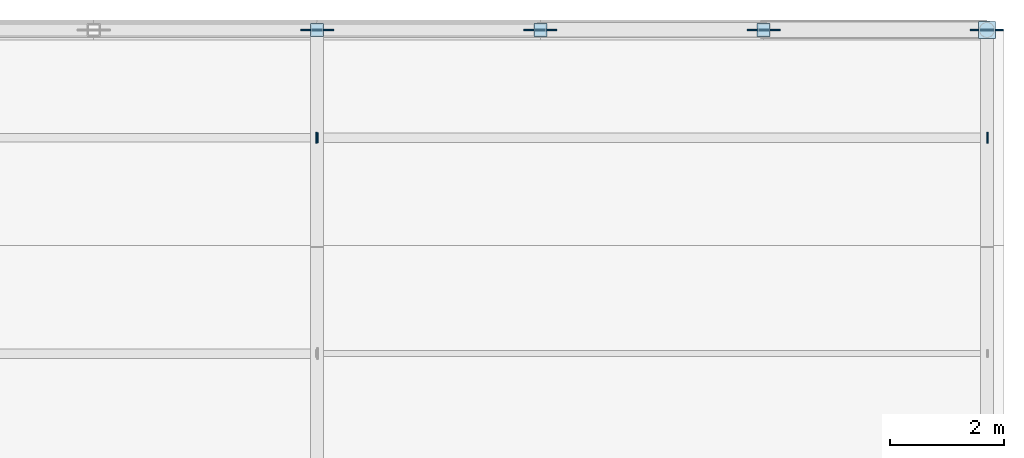
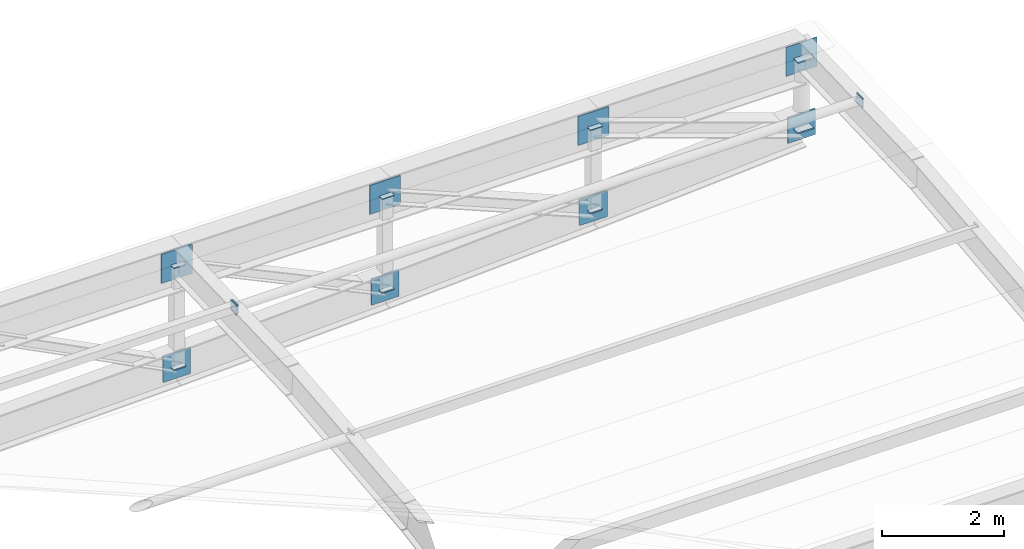
# One storey, part 63 of 65: 19 plates.
"""IFC4 building model written with IfcOpenShell, lengths in metres."""

from ifc_helpers import new_model, si_unit, direction, frame, origin, origin_2d, place, context, subcontext, project, spatial, rectangle, extrude, material, layer, layer_set, type_object, element, save


model = new_model("IFC4")

# Units and contexts
model_context = context("Model", 3, precision=1e-05, world=origin(), true_north=direction((0.0, 1.0)))
body_context = subcontext(model_context, "Body", "Model", "MODEL_VIEW")
ifc_project = project(units=[si_unit("LENGTHUNIT", "METRE"), si_unit("AREAUNIT", "SQUARE_METRE"), si_unit("VOLUMEUNIT", "CUBIC_METRE"), si_unit("PLANEANGLEUNIT", "RADIAN"), si_unit("MASSUNIT", "GRAM", prefix="KILO"), si_unit("POWERUNIT", "WATT"), si_unit("THERMODYNAMICTEMPERATUREUNIT", "KELVIN")], contexts=[model_context])

# Site, building, storey
site_placement = place(None, origin())
site = spatial("IfcSite", under=ifc_project, at=site_placement, CompositionType="ELEMENT")
building_placement = place(site_placement, origin())
building = spatial("IfcBuilding", under=site, at=building_placement, Name="Kelmbourne Parkland Aquatics Centre", CompositionType="ELEMENT")
storey_placement = place(building_placement, frame((0.0, 0.0, 27.0)))
storey = spatial("IfcBuildingStorey", under=building, at=storey_placement, Name="RF", CompositionType="ELEMENT", Elevation=27.0)

# Plates
ifc_material = material(Name="Welded plate steel AS/NZS 3678 Grade 350", Category="steel")
ifc_layer_1 = layer(ifc_material, 0.02001953125)
ifc_layer_set_1 = layer_set([ifc_layer_1], Name="Welded plate steel AS/NZS 3678 Grade 350")
plate_type_1 = type_object("IfcPlateType", Name="PL-CAP-20", PredefinedType="USERDEFINED", material=ifc_layer_set_1)
for number, where, z_axis, x_axis, name in (
    (1, (163.39990234375, 114.800048828125, -0.8564453125), (0.0, 0.0, 1.0), (1.0, 0.0, 0.0), "Hollow end cap plate CAP-0293"),
    (2, (163.39990234375, 114.800048828125, 1.178955078125), (0.0, 0.0, 1.0), (1.0, 0.0, 0.0), "Hollow end cap plate CAP-0294"),
    (3, (167.333251953125, 114.800048828125, -0.691162109375), (0.0, 0.0, 1.0), (1.0, 0.0, 0.0), "Hollow end cap plate CAP-0295"),
    (4, (167.333251953125, 114.800048828125, 1.178955078125), (0.0, 0.0, 1.0), (1.0, 0.0, 0.0), "Hollow end cap plate CAP-0296"),
    (5, (171.2666015625, 114.800048828125, -0.478759765625), (0.0, 0.0, 1.0), (1.0, 0.0, 0.0), "Hollow end cap plate CAP-0297"),
    (6, (171.2666015625, 114.800048828125, 1.178955078125), (0.0, 0.0, 1.0), (1.0, 0.0, 0.0), "Hollow end cap plate CAP-0298"),
):
    element("IfcPlate", number, at=place(storey_placement, frame(where, z_axis=z_axis, x_axis=x_axis)), inside=storey, type_object=plate_type_1, Name=name, ObjectType="END CAP PLATE", PredefinedType="USERDEFINED", context=body_context, shape_type="SweptSolid", body=[
        extrude(rectangle(XDim=0.22998046875, YDim=0.22998046875, at=origin_2d()), origin(), (0.0, 0.0, 1.0), 0.02001953125),
    ])
plate_1_placement = place(storey_placement, frame((163.408935546875, 112.89990234375, 1.376953125), z_axis=(0.0, 0.0, 1.0), x_axis=(1.0, 0.0, 0.0)))
element("IfcPlate", 7, at=plate_1_placement, inside=storey, type_object=plate_type_1, Name="Hollow end cap plate CAP-0538", ObjectType="END CAP PLATE", PredefinedType="USERDEFINED", context=body_context, shape_type="SweptSolid", body=[
    extrude(rectangle(XDim=0.02001953125, YDim=0.179931640625, at=origin_2d()), origin(), (0.0, 0.0, 1.0), 0.179931640625),
])
for number, where, z_axis, x_axis, name in (
    (8, (163.39111328125, 112.89990234375, 1.3583984375), (0.0, 0.0, 1.0), (-1.0, 0.0, 0.0), "Hollow end cap plate CAP-0539"),
    (9, (175.208984375, 112.89990234375, 1.3583984375), (0.0, 0.0, 1.0), (1.0, 0.0, 0.0), "Hollow end cap plate CAP-0540"),
):
    element("IfcPlate", number, at=place(storey_placement, frame(where, z_axis=z_axis, x_axis=x_axis)), inside=storey, type_object=plate_type_1, Name=name, ObjectType="END CAP PLATE", PredefinedType="USERDEFINED", context=body_context, shape_type="SweptSolid", body=[
        extrude(rectangle(XDim=0.02001953125, YDim=0.1982421875, at=origin_2d()), origin(), (0.0, 0.0, 1.0), 0.1982421875),
    ])
ifc_layer_2 = layer(ifc_material, 0.02392578125)
ifc_layer_set_2 = layer_set([ifc_layer_2], Name="Welded plate steel AS/NZS 3678 Grade 350")
plate_type_2 = type_object("IfcPlateType", Name="PL-CAP-24", PredefinedType="USERDEFINED", material=ifc_layer_set_2)
for number, where, z_axis, x_axis, name in (
    (10, (175.199951171875, 114.800048828125, -0.222900390625), (0.0, 0.0, 1.0), (1.0, 0.0, 0.0), "Hollow end cap plate CAP-0299"),
    (11, (175.199951171875, 114.800048828125, 1.178955078125), (0.0, 0.0, 1.0), (1.0, 0.0, 0.0), "Hollow end cap plate CAP-0300"),
):
    element("IfcPlate", number, at=place(storey_placement, frame(where, z_axis=z_axis, x_axis=x_axis)), inside=storey, type_object=plate_type_2, Name=name, ObjectType="END CAP PLATE", PredefinedType="USERDEFINED", context=body_context, shape_type="SweptSolid", body=[
        extrude(rectangle(XDim=0.302978515625, YDim=0.302978515625, at=origin_2d()), origin(), (0.0, 0.0, 1.0), 0.02392578125),
    ])
ifc_layer_3 = layer(ifc_material, 0.02001953125)
ifc_layer_set_3 = layer_set([ifc_layer_3], Name="Welded plate steel AS/NZS 3678 Grade 350")
plate_type_3 = type_object("IfcPlateType", Name="PL-GUS-1", PredefinedType="USERDEFINED", material=ifc_layer_set_3)
plate_2_placement = place(storey_placement, frame((175.199951171875, 114.800048828125, 0.889892578125), z_axis=(0.0, 0.0, 1.0), x_axis=(1.0, 0.0, 0.0)))
element("IfcPlate", 12, at=plate_2_placement, inside=storey, type_object=plate_type_3, Name="Truss top node TN-1 gusset plate R10-N12", ObjectType="GUSSET PLATE", PredefinedType="USERDEFINED", context=body_context, shape_type="SweptSolid", body=[
    extrude(rectangle(XDim=0.580078125, YDim=0.02001953125, at=origin_2d()), origin(), (0.0, 0.0, 1.0), 0.580078125),
])
plate_3_placement = place(storey_placement, frame((175.199951171875, 114.800048828125, -0.4599609375), z_axis=(0.0, 0.0, 1.0), x_axis=(1.0, 0.0, 0.0)))
element("IfcPlate", 13, at=plate_3_placement, inside=storey, type_object=plate_type_3, Name="Truss bottom node TN-1 gusset plate R10-B12", ObjectType="GUSSET PLATE", PredefinedType="USERDEFINED", context=body_context, shape_type="SweptSolid", body=[
    extrude(rectangle(XDim=0.52001953125, YDim=0.02001953125, at=origin_2d()), origin(), (0.0, 0.0, 1.0), 0.52001953125),
])
ifc_layer_4 = layer(ifc_material, 0.031982421875)
ifc_layer_set_4 = layer_set([ifc_layer_4], Name="Welded plate steel AS/NZS 3678 Grade 350")
plate_type_4 = type_object("IfcPlateType", Name="PL-GUS-3", PredefinedType="USERDEFINED", material=ifc_layer_set_4)
plate_4_placement = place(storey_placement, frame((163.39990234375, 114.800048828125, 0.889892578125), z_axis=(0.0, 0.0, 1.0), x_axis=(1.0, 0.0, 0.0)))
element("IfcPlate", 14, at=plate_4_placement, inside=storey, type_object=plate_type_4, Name="Truss top node TN-3 gusset plate R10-N9", ObjectType="GUSSET PLATE", PredefinedType="USERDEFINED", context=body_context, shape_type="SweptSolid", body=[
    extrude(rectangle(XDim=0.580078125, YDim=0.031982421875, at=origin_2d()), origin(), (0.0, 0.0, 1.0), 0.580078125),
])
plate_5_placement = place(storey_placement, frame((163.39990234375, 114.800048828125, -1.097412109375), z_axis=(0.0, 0.0, 1.0), x_axis=(1.0, 0.0, 0.0)))
element("IfcPlate", 15, at=plate_5_placement, inside=storey, type_object=plate_type_4, Name="Truss bottom node TN-3 gusset plate R10-B9", ObjectType="GUSSET PLATE", PredefinedType="USERDEFINED", context=body_context, shape_type="SweptSolid", body=[
    extrude(rectangle(XDim=0.52001953125, YDim=0.031982421875, at=origin_2d()), origin(), (0.0, 0.0, 1.0), 0.52001953125),
])
plate_6_placement = place(storey_placement, frame((167.333251953125, 114.800048828125, 0.889892578125), z_axis=(0.0, 0.0, 1.0), x_axis=(1.0, 0.0, 0.0)))
element("IfcPlate", 16, at=plate_6_placement, inside=storey, type_object=plate_type_4, Name="Truss top node TN-3 gusset plate R10-N10", ObjectType="GUSSET PLATE", PredefinedType="USERDEFINED", context=body_context, shape_type="SweptSolid", body=[
    extrude(rectangle(XDim=0.580078125, YDim=0.031982421875, at=origin_2d()), origin(), (0.0, 0.0, 1.0), 0.580078125),
])
plate_7_placement = place(storey_placement, frame((167.333251953125, 114.800048828125, -0.93212890625), z_axis=(0.0, 0.0, 1.0), x_axis=(1.0, 0.0, 0.0)))
element("IfcPlate", 17, at=plate_7_placement, inside=storey, type_object=plate_type_4, Name="Truss bottom node TN-3 gusset plate R10-B10", ObjectType="GUSSET PLATE", PredefinedType="USERDEFINED", context=body_context, shape_type="SweptSolid", body=[
    extrude(rectangle(XDim=0.52001953125, YDim=0.031982421875, at=origin_2d()), origin(), (0.0, 0.0, 1.0), 0.52001953125),
])
plate_8_placement = place(storey_placement, frame((171.2666015625, 114.800048828125, 0.889892578125), z_axis=(0.0, 0.0, 1.0), x_axis=(1.0, 0.0, 0.0)))
element("IfcPlate", 18, at=plate_8_placement, inside=storey, type_object=plate_type_4, Name="Truss top node TN-3 gusset plate R10-N11", ObjectType="GUSSET PLATE", PredefinedType="USERDEFINED", context=body_context, shape_type="SweptSolid", body=[
    extrude(rectangle(XDim=0.580078125, YDim=0.031982421875, at=origin_2d()), origin(), (0.0, 0.0, 1.0), 0.580078125),
])
plate_9_placement = place(storey_placement, frame((171.2666015625, 114.800048828125, -0.7197265625), z_axis=(0.0, 0.0, 1.0), x_axis=(1.0, 0.0, 0.0)))
element("IfcPlate", 19, at=plate_9_placement, inside=storey, type_object=plate_type_4, Name="Truss bottom node TN-3 gusset plate R10-B11", ObjectType="GUSSET PLATE", PredefinedType="USERDEFINED", context=body_context, shape_type="SweptSolid", body=[
    extrude(rectangle(XDim=0.52001953125, YDim=0.031982421875, at=origin_2d()), origin(), (0.0, 0.0, 1.0), 0.52001953125),
])

save(model, "model.ifc")
